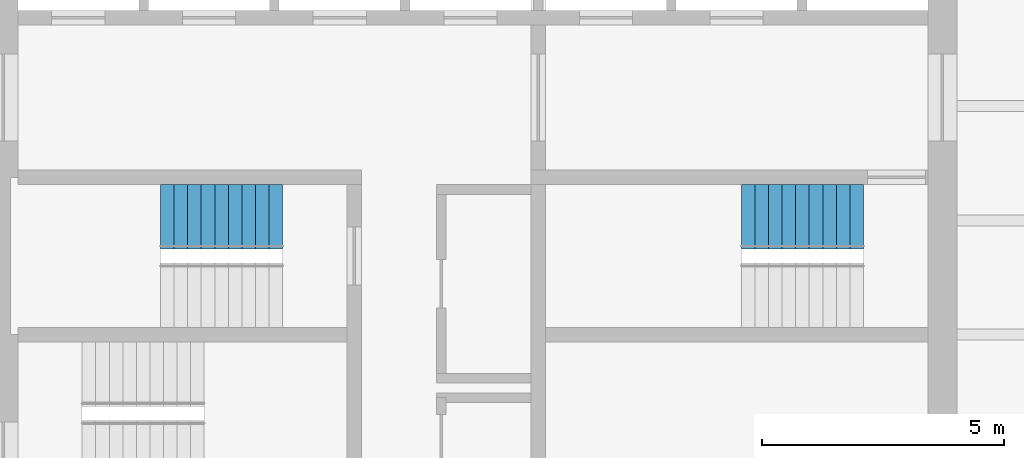
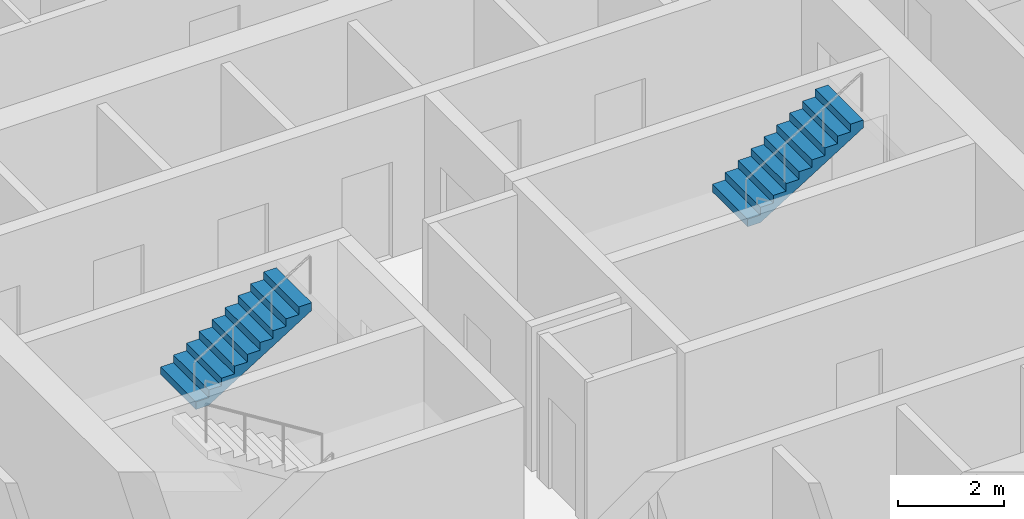
# One storey, part 9 of 10: 2 stair flights, 2 elements without a shape of their own.
"""IFC4 building model written with IfcOpenShell, lengths in metres."""

import ifcopenshell
import ifcopenshell.guid

model = None  # the IFC model being written
_history = None  # IfcOwnerHistory: only IFC2X3 demands one
_inside = {}  # id of a spatial element -> (the spatial element, [elements in it])
_under = {}  # id of a project, library or spatial element -> (it, [spatial elements below it])
_declared = {}  # id of a project -> (the project, [libraries it declares])
_typed = {}  # id of a type object -> (the type object, [elements of that type])
_made_of = {}  # id of a material, layer set ... -> (it, [elements and type objects made of it])


def new_model(schema):
    """Start an empty IFC model of exactly this schema.

    Asked for "IFC4X3", IfcOpenShell would pick the latest addendum, in which some entities
    have other attributes; the version numbers below select the first issue.
    IFC2X3 requires an IfcOwnerHistory on every rooted entity: one is made here for all.
    """
    global model, _history
    if schema == "IFC4X3":
        model = ifcopenshell.file(schema_version=(4, 3, 0, 0))
    else:
        model = ifcopenshell.file(schema=schema)
    _inside.clear()
    _under.clear()
    _declared.clear()
    _typed.clear()
    _made_of.clear()
    _history = None
    if model.schema == "IFC2X3":
        org = make("IfcOrganization", Name="unknown")
        user = make(
            "IfcPersonAndOrganization",
            ThePerson=make("IfcPerson", FamilyName="unknown"),
            TheOrganization=org,
        )
        app = make(
            "IfcApplication",
            ApplicationDeveloper=org,
            Version="unknown",
            ApplicationFullName="unknown",
            ApplicationIdentifier="unknown",
        )
        _history = make(
            "IfcOwnerHistory",
            OwningUser=user,
            OwningApplication=app,
            ChangeAction="ADDED",
            CreationDate=0,
        )
    return model


def make(cls, **values):
    """One entity of the class cls with the attributes given. An attribute that is None is left unset."""
    return model.create_entity(
        cls, **{name: value for name, value in values.items() if value is not None}
    )


def rooted(cls, **values):
    """An entity with a GlobalId (a new one), such as an element, a storey or a relation."""
    return make(cls, GlobalId=ifcopenshell.guid.new(), OwnerHistory=_history, **values)


def si_unit(unit_type, name, prefix=None):
    """IfcSIUnit, for example si_unit("LENGTHUNIT", "METRE", prefix="MILLI")."""
    return make("IfcSIUnit", UnitType=unit_type, Prefix=prefix, Name=name)


def assignment(units):
    """IfcUnitAssignment: the units of a project."""
    return None if units is None else make("IfcUnitAssignment", Units=units)


def point(xyz):
    """IfcCartesianPoint."""
    return None if xyz is None else make("IfcCartesianPoint", Coordinates=xyz)


def direction(xyz):
    """IfcDirection."""
    return None if xyz is None else make("IfcDirection", DirectionRatios=xyz)


def frame(location, z_axis=None, x_axis=None):
    """IfcAxis2Placement3D, a coordinate frame: its origin and axes. An axis left out is left unset."""
    return make(
        "IfcAxis2Placement3D",
        Location=point(location),
        Axis=direction(z_axis),
        RefDirection=direction(x_axis),
    )


def origin():
    """The frame at (0, 0, 0) with its axes left unset."""
    return frame((0.0, 0.0, 0.0))


def place(relative_to, where):
    """IfcLocalPlacement: puts the frame where relative to a parent placement (None: the world)."""
    return make(
        "IfcLocalPlacement", PlacementRelTo=relative_to, RelativePlacement=where
    )


def context(
    kind, dimensions, precision=None, world=None, true_north=None, identifier=None
):
    """IfcGeometricRepresentationContext, for example the 3D "Model" context."""
    return make(
        "IfcGeometricRepresentationContext",
        ContextIdentifier=identifier,
        ContextType=kind,
        CoordinateSpaceDimension=dimensions,
        Precision=precision,
        WorldCoordinateSystem=world,
        TrueNorth=true_north,
    )


def subcontext(parent, identifier, kind, view, scale=None):
    """IfcGeometricRepresentationSubContext, for example "Body" below "Model"."""
    return make(
        "IfcGeometricRepresentationSubContext",
        ContextIdentifier=identifier,
        ContextType=kind,
        ParentContext=parent,
        TargetScale=scale,
        TargetView=view,
    )


def project(units=None, contexts=None):
    """IfcProject with its units and contexts."""
    return rooted(
        "IfcProject",
        Name="project",
        RepresentationContexts=contexts,
        UnitsInContext=assignment(units),
    )


def spatial(cls, under=None, at=None, **own):
    """A site, building, storey or space (cls), placed at a placement, below another one or the project."""
    s = rooted(cls, ObjectPlacement=at, **own)
    if under is not None:
        _under.setdefault(under.id(), (under, []))[1].append(s)
    return s


def polyline(points):
    """IfcPolyline through the points."""
    return make("IfcPolyline", Points=[point(p) for p in points])


def outline(outer, holes=None, kind="AREA"):
    """IfcArbitraryClosedProfileDef: a profile drawn as a closed curve; with holes, ...WithVoids."""
    if holes is None:
        return make("IfcArbitraryClosedProfileDef", ProfileType=kind, OuterCurve=outer)
    return make(
        "IfcArbitraryProfileDefWithVoids",
        ProfileType=kind,
        OuterCurve=outer,
        InnerCurves=holes,
    )


def extrude(swept, where, along, depth):
    """IfcExtrudedAreaSolid: the profile swept, set in the frame where, extruded along a direction by depth."""
    return make(
        "IfcExtrudedAreaSolid",
        SweptArea=swept,
        Position=where,
        ExtrudedDirection=direction(along),
        Depth=depth,
    )


def shape(context_of_items, identifier, shape_type, items):
    """IfcShapeRepresentation: the items that make up one representation, for example the "Body"."""
    return make(
        "IfcShapeRepresentation",
        ContextOfItems=context_of_items,
        RepresentationIdentifier=identifier,
        RepresentationType=shape_type,
        Items=items,
    )


def material(Name=None, Category=None):
    """IfcMaterial."""
    return make("IfcMaterial", Name=Name, Category=Category)


def made_of(thing, what):
    """Note that an element or type object is made of a material, layer set ...; save() writes the relation."""
    if what is not None:
        _made_of.setdefault(what.id(), (what, []))[1].append(thing)
    return thing


def type_object(cls, material=None, **own):
    """A type object (cls), such as IfcWallType, which elements share."""
    return made_of(rooted(cls, **own), material)


def element(
    cls,
    number,
    at=None,
    inside=None,
    cuts=None,
    type_object=None,
    material=None,
    context=None,
    identifier="Body",
    shape_type=None,
    held_by="IfcProductDefinitionShape",
    body=None,
    shapes=None,
    **own,
):
    """One element of the class cls, such as IfcWall. Its Tag is "e" and its number.

    at: its placement. inside: the storey or other place that contains it. cuts: it is an
    opening in that element (IfcRelVoidsElement). A single representation is given by context,
    identifier, shape_type and body (its items); several are given by shapes. held_by: the class
    of the entity that holds the representations. save() writes the other relations.
    """
    e = rooted(cls, Tag="e%d" % number, ObjectPlacement=at, **own)
    if body is not None:
        shapes = [shape(context, identifier, shape_type, body)]
    if shapes is not None:
        e.Representation = make(held_by, Representations=shapes)
    if inside is not None:
        _inside.setdefault(inside.id(), (inside, []))[1].append(e)
    if cuts is not None:
        rooted(
            "IfcRelVoidsElement", RelatingBuildingElement=cuts, RelatedOpeningElement=e
        )
    if type_object is not None:
        _typed.setdefault(type_object.id(), (type_object, []))[1].append(e)
    return made_of(e, material)


def aggregate(whole, parts):
    """IfcRelAggregates: a whole, such as a stair, and the parts it consists of."""
    return rooted("IfcRelAggregates", RelatingObject=whole, RelatedObjects=parts)


def save(model, path):
    """Write the relations noted so far, then the file.

    IfcRelAggregates (storeys below a building ...), IfcRelContainedInSpatialStructure (elements
    in a storey), IfcRelDefinesByType, IfcRelAssociatesMaterial and IfcRelDeclares: one each for
    every whole, place, type object, material and project.
    """
    for whole, parts in _under.values():
        aggregate(whole, parts)
    for where, things in _inside.values():
        rooted(
            "IfcRelContainedInSpatialStructure",
            RelatedElements=things,
            RelatingStructure=where,
        )
    for kind, things in _typed.values():
        rooted("IfcRelDefinesByType", RelatedObjects=things, RelatingType=kind)
    for what, things in _made_of.values():
        rooted("IfcRelAssociatesMaterial", RelatedObjects=things, RelatingMaterial=what)
    for by, libraries in _declared.values():
        rooted("IfcRelDeclares", RelatingContext=by, RelatedDefinitions=libraries)
    model.write(path)


model = new_model("IFC4")

# Units and contexts
model_context = context("Model", 3, precision=1e-05, world=origin(), true_north=direction((0.0, 1.0)))
body_context = subcontext(model_context, "Body", "Model", "MODEL_VIEW")
ifc_project = project(units=[si_unit("LENGTHUNIT", "METRE"), si_unit("AREAUNIT", "SQUARE_METRE"), si_unit("VOLUMEUNIT", "CUBIC_METRE"), si_unit("PLANEANGLEUNIT", "RADIAN"), si_unit("MASSUNIT", "GRAM", prefix="KILO")], contexts=[model_context])

# Site, building, storey
site_placement = place(None, origin())
site = spatial("IfcSite", under=ifc_project, at=site_placement, CompositionType="ELEMENT")
building_placement = place(site_placement, origin())
building = spatial("IfcBuilding", under=site, at=building_placement, Name="Turquesa Mirador Hotel Tower", CompositionType="ELEMENT")
storey_placement = place(building_placement, frame((0.0, 0.0, 46.0)))
storey = spatial("IfcBuildingStorey", under=building, at=storey_placement, Name="L11", CompositionType="ELEMENT", Elevation=46.0)

# Stair, stair flight
ifc_material_1 = material(Name="Concrete C35/45", Category="concrete")
stair_type = type_object("IfcStairType", Name="ESCAPE STAIR CORE", PredefinedType="HALF_TURN_STAIR", material=ifc_material_1)
stair_1_placement = place(storey_placement, origin())
stair_1 = element("IfcStair", 1, at=stair_1_placement, inside=storey, type_object=stair_type, Name="Stair ST1 L11 to L12", PredefinedType="HALF_TURN_STAIR")
ifc_material_2 = material(Name="Concrete C35/45 precast flight", Category="concrete")
stair_flight_type = type_object("IfcStairFlightType", Name="STAIR FLIGHT 1330", PredefinedType="STRAIGHT", material=ifc_material_2)
stair_flight_1_placement = place(storey_placement, frame((48.550048828125, 47.43505859375, 1.75), z_axis=(0.0, 0.0, 1.0), x_axis=(1.0, 0.0, 0.0)))
stair_flight_1 = element("IfcStairFlight", 2, at=stair_flight_1_placement, type_object=stair_flight_type, Name="ST1 flight 2", NumberOfRisers=10, NumberOfTreads=9, PredefinedType="STRAIGHT", RiserHeight=0.175, TreadLength=0.28, context=body_context, shape_type="SweptSolid", body=[
    extrude(outline(polyline([(0.0, 0.0), (0.0, 0.175048828125), (0.280029296875, 0.175048828125), (0.280029296875, 0.35009765625), (0.56005859375, 0.35009765625), (0.56005859375, 0.52490234375), (0.840087890625, 0.52490234375), (0.840087890625, 0.699951171875), (1.1201171875, 0.699951171875), (1.1201171875, 0.875), (1.39990234375, 0.875), (1.39990234375, 1.050048828125), (1.679931640625, 1.050048828125), (1.679931640625, 1.22509765625), (1.9599609375, 1.22509765625), (1.9599609375, 1.39990234375), (2.239990234375, 1.39990234375), (2.239990234375, 1.574951171875), (2.52001953125, 1.574951171875), (2.52001953125, 1.75), (2.52001953125, 1.398193359375), (0.28271484375, 0.0), (0.0, 0.0)])), frame((0.0, 0.6650390625, 0.0), z_axis=(0.0, -1.0, 0.0), x_axis=(1.0, 0.0, 0.0)), (0.0, 0.0, 1.0), 1.330078125),
])
aggregate(stair_1, [stair_flight_1])

stair_2_placement = place(storey_placement, origin())
stair_2 = element("IfcStair", 3, at=stair_2_placement, inside=storey, type_object=stair_type, Name="Stair ST3 L11 to L12", PredefinedType="HALF_TURN_STAIR")
stair_flight_2_placement = place(storey_placement, frame((60.550048828125, 47.43505859375, 1.75), z_axis=(0.0, 0.0, 1.0), x_axis=(1.0, 0.0, 0.0)))
stair_flight_2 = element("IfcStairFlight", 4, at=stair_flight_2_placement, type_object=stair_flight_type, Name="ST3 flight 2", NumberOfRisers=10, NumberOfTreads=9, PredefinedType="STRAIGHT", RiserHeight=0.175, TreadLength=0.28, context=body_context, shape_type="SweptSolid", body=[
    extrude(outline(polyline([(0.0, 0.0), (0.0, 0.175048828125), (0.280029296875, 0.175048828125), (0.280029296875, 0.35009765625), (0.56005859375, 0.35009765625), (0.56005859375, 0.52490234375), (0.840087890625, 0.52490234375), (0.840087890625, 0.699951171875), (1.1201171875, 0.699951171875), (1.1201171875, 0.875), (1.39990234375, 0.875), (1.39990234375, 1.050048828125), (1.679931640625, 1.050048828125), (1.679931640625, 1.22509765625), (1.9599609375, 1.22509765625), (1.9599609375, 1.39990234375), (2.239990234375, 1.39990234375), (2.239990234375, 1.574951171875), (2.52001953125, 1.574951171875), (2.52001953125, 1.75), (2.52001953125, 1.398193359375), (0.28271484375, 0.0), (0.0, 0.0)])), frame((0.0, 0.6650390625, 0.0), z_axis=(0.0, -1.0, 0.0), x_axis=(1.0, 0.0, 0.0)), (0.0, 0.0, 1.0), 1.330078125),
])
aggregate(stair_2, [stair_flight_2])

save(model, "model.ifc")
